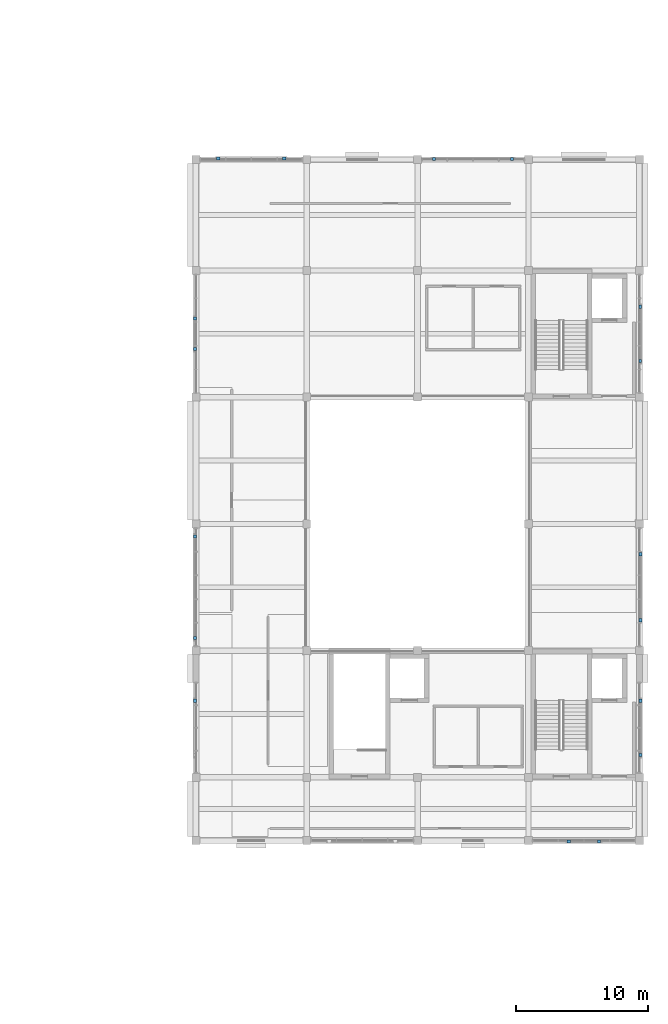
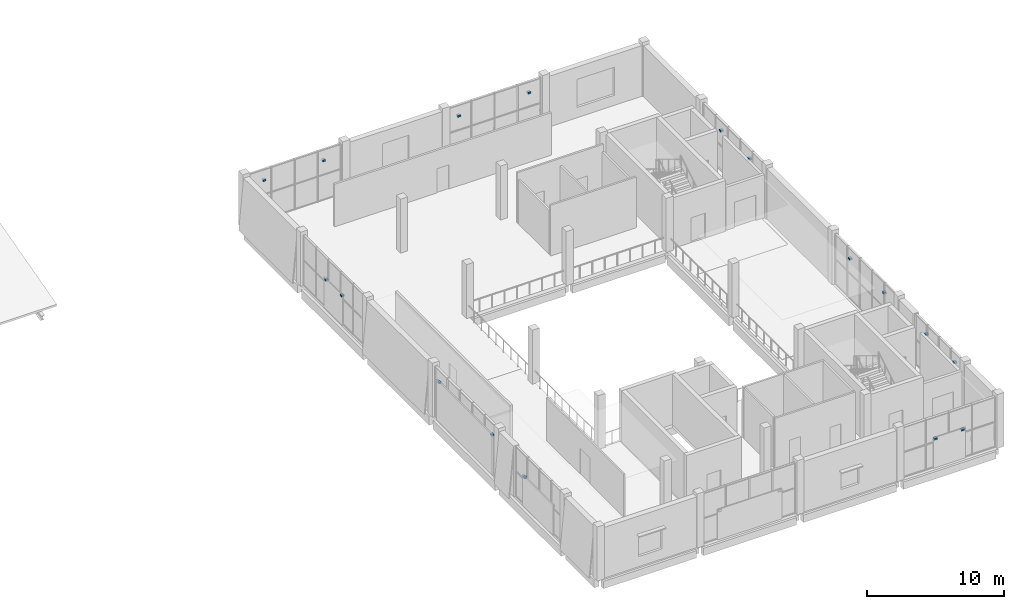
# One storey, part 31 of 37: 17 discrete accessories.
"""IFC4 building model written with IfcOpenShell, lengths in metres."""

from ifc_helpers import new_model, si_unit, direction, frame, origin, origin_2d, place, context, subcontext, project, spatial, rectangle, extrude, material, type_object, element, save


model = new_model("IFC4")

# Units and contexts
model_context = context("Model", 3, precision=1e-05, world=origin(), true_north=direction((0.0, 1.0)))
body_context = subcontext(model_context, "Body", "Model", "MODEL_VIEW")
ifc_project = project(units=[si_unit("LENGTHUNIT", "METRE"), si_unit("AREAUNIT", "SQUARE_METRE"), si_unit("VOLUMEUNIT", "CUBIC_METRE"), si_unit("PLANEANGLEUNIT", "RADIAN"), si_unit("MASSUNIT", "GRAM", prefix="KILO")], contexts=[model_context])

# Site, building, storey
site_placement = place(None, origin())
site = spatial("IfcSite", under=ifc_project, at=site_placement, CompositionType="ELEMENT")
building_placement = place(site_placement, origin())
building = spatial("IfcBuilding", under=site, at=building_placement, Name="Shalvenor Court Art Gallery", CompositionType="ELEMENT")
storey_placement = place(building_placement, frame((0.0, 0.0, 22.199951171875)))
storey = spatial("IfcBuildingStorey", under=building, at=storey_placement, Name="L04", CompositionType="ELEMENT", Elevation=22.199951171875)

# Discrete accessories
ifc_material = material(Name="Stainless steel anchor bracket", Category="steel")
discrete_accessory_type = type_object("IfcDiscreteAccessoryType", Name="BRK-01", PredefinedType="BRACKET", material=ifc_material)
for number, where, z_axis, x_axis, name in (
    (1, (144.5, 97.276611328125, 3.3701171875), (0.0, 0.0, 1.0), (1.0, 0.0, 0.0), "L04 Lattice Anchor Bracket 59"),
    (2, (149.5, 97.276611328125, 3.3701171875), (0.0, 0.0, 1.0), (1.0, 0.0, 0.0), "L04 Lattice Anchor Bracket 60"),
    (3, (160.85009765625, 97.256591796875, 3.3701171875), (0.0, 0.0, 1.0), (1.0, 0.0, 0.0), "L04 Lattice Anchor Bracket 61"),
    (4, (166.75, 97.256591796875, 3.3701171875), (0.0, 0.0, 1.0), (1.0, 0.0, 0.0), "L04 Lattice Anchor Bracket 62"),
    (5, (176.466552734375, 86.050048828125, 3.3701171875), (0.0, 0.0, 1.0), (0.0, -1.0, 0.0), "L04 Lattice Anchor Bracket 63"),
    (6, (176.466552734375, 81.949951171875, 3.3701171875), (0.0, 0.0, 1.0), (0.0, -1.0, 0.0), "L04 Lattice Anchor Bracket 64"),
    (7, (176.471435546875, 67.300048828125, 3.3701171875), (0.0, 0.0, 1.0), (0.0, -1.0, 0.0), "L04 Lattice Anchor Bracket 65"),
    (8, (176.471435546875, 62.300048828125, 3.3701171875), (0.0, 0.0, 1.0), (0.0, -1.0, 0.0), "L04 Lattice Anchor Bracket 66"),
    (9, (176.4765625, 56.199951171875, 3.3701171875), (0.0, 0.0, 1.0), (0.0, -1.0, 0.0), "L04 Lattice Anchor Bracket 67"),
    (10, (176.4765625, 52.10009765625, 3.3701171875), (0.0, 0.0, 1.0), (0.0, -1.0, 0.0), "L04 Lattice Anchor Bracket 68"),
    (11, (173.35009765625, 45.544921875, 2.47021484375), (0.0, 0.0, 1.0), (-1.0, 0.0, 0.0), "L04 Lattice Anchor Bracket 69"),
    (12, (171.050048828125, 45.544921875, 2.47021484375), (0.0, 0.0, 1.0), (-1.0, 0.0, 0.0), "L04 Lattice Anchor Bracket 70"),
    (13, (142.728515625, 56.199951171875, 2.47021484375), (0.0, 0.0, 1.0), (0.0, 1.0, 0.0), "L04 Lattice Anchor Bracket 74"),
    (14, (142.722412109375, 60.949951171875, 3.3701171875), (0.0, 0.0, 1.0), (0.0, 1.0, 0.0), "L04 Lattice Anchor Bracket 75"),
    (15, (142.722412109375, 68.64990234375, 3.3701171875), (0.0, 0.0, 1.0), (0.0, 1.0, 0.0), "L04 Lattice Anchor Bracket 76"),
    (16, (142.744873046875, 82.85009765625, 2.47021484375), (0.0, 0.0, 1.0), (0.0, 1.0, 0.0), "L04 Lattice Anchor Bracket 77"),
    (17, (142.744873046875, 85.14990234375, 2.47021484375), (0.0, 0.0, 1.0), (0.0, 1.0, 0.0), "L04 Lattice Anchor Bracket 78"),
):
    element("IfcDiscreteAccessory", number, at=place(storey_placement, frame(where, z_axis=z_axis, x_axis=x_axis)), inside=storey, type_object=discrete_accessory_type, Name=name, PredefinedType="BRACKET", context=body_context, shape_type="SweptSolid", body=[
        extrude(rectangle(XDim=0.239990234375, YDim=0.219970703125, at=origin_2d()), origin(), (0.0, 0.0, 1.0), 0.159912109375),
    ])

save(model, "model.ifc")
